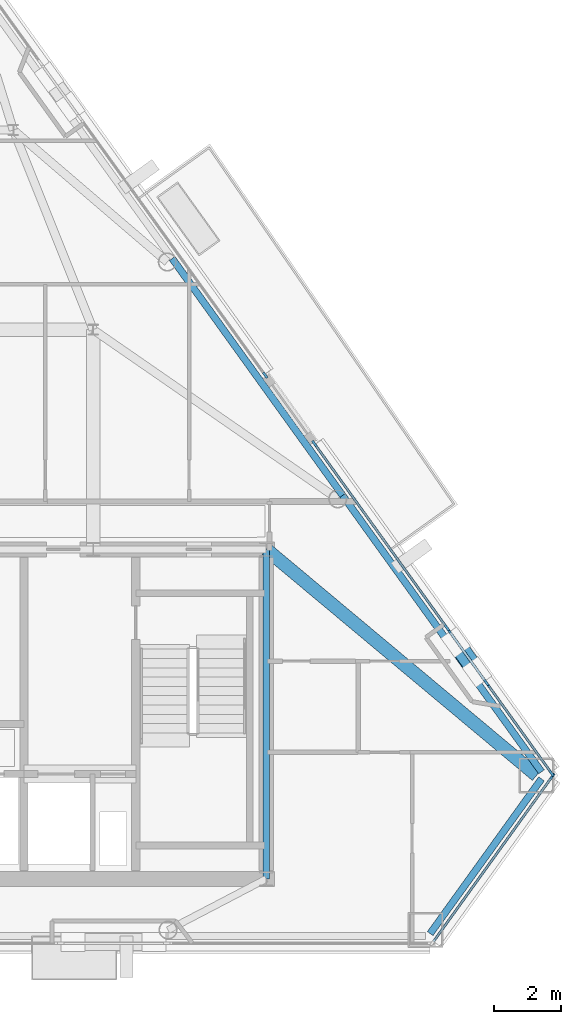
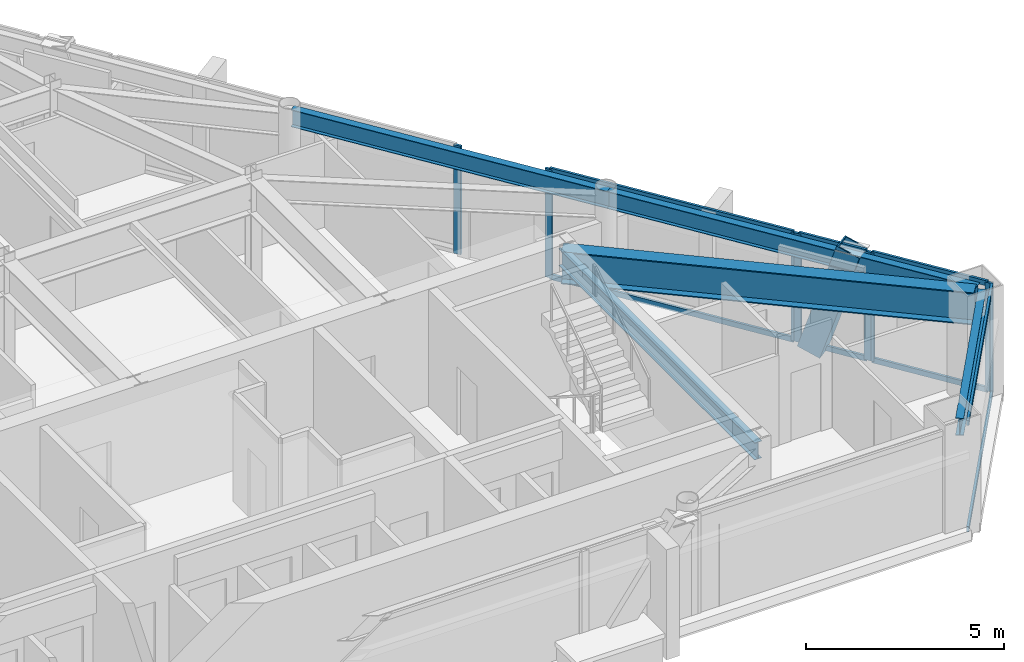
# One storey, part 5 of 11: 17 members, 5 beams, 5 elements without a shape of their own.
"""IFC4 building model written with IfcOpenShell, lengths in metres."""

from ifc_helpers import new_model, si_unit, direction, frame, origin, origin_2d, place, context, subcontext, project, spatial, rectangle, hollow_rectangle, i_section, extrude, material, layer, layer_set, material_profile, profile_set, type_object, element, aggregate, save


model = new_model("IFC4")

# Units and contexts
model_context = context("Model", 3, precision=1e-05, world=origin(), true_north=direction((0.0, 1.0)))
body_context = subcontext(model_context, "Body", "Model", "MODEL_VIEW")
ifc_project = project(units=[si_unit("LENGTHUNIT", "METRE"), si_unit("AREAUNIT", "SQUARE_METRE"), si_unit("VOLUMEUNIT", "CUBIC_METRE"), si_unit("PLANEANGLEUNIT", "RADIAN"), si_unit("MASSUNIT", "GRAM", prefix="KILO")], contexts=[model_context])

# Site, building, storey
site_placement = place(None, origin())
site = spatial("IfcSite", under=ifc_project, at=site_placement, CompositionType="ELEMENT")
building_placement = place(site_placement, origin())
building = spatial("IfcBuilding", under=site, at=building_placement, Name="Talgorran Terracotta Tower", CompositionType="ELEMENT")
storey_placement = place(building_placement, frame((0.0, 0.0, 196.5)))
storey = spatial("IfcBuildingStorey", under=building, at=storey_placement, Name="L51", CompositionType="ELEMENT", Elevation=196.5)

# Beams
ifc_material_1 = material(Name="Steel Grade 350 (350L0)", Category="steel")
ifc_material_profile_1 = material_profile(ifc_material_1, i_section(OverallWidth=0.39990234375, OverallDepth=1.0, WebThickness=0.01611328125, FlangeThickness=0.031005859375, at=origin_2d()), Name="1000WB296")
ifc_profile_set_1 = profile_set([ifc_material_profile_1], Name="Steel Grade 350 (350L0)")
beam_type_1 = type_object("IfcBeamType", Name="BM_1000WB296", PredefinedType="BEAM", material=ifc_profile_set_1)
beam_1_placement = place(storey_placement, frame((12.39990234375, -4.199951171875, 2.85009765625), z_axis=(0.767197947413, -0.641410406436, 0.0), x_axis=(0.641410406436, 0.767197947413, 0.0)))
element("IfcBeam", 1, at=beam_1_placement, inside=storey, type_object=beam_type_1, Name="L51 Floor Girder G18", PredefinedType="BEAM", context=body_context, shape_type="SweptSolid", body=[
    extrude(i_section(OverallWidth=0.39990234375, OverallDepth=1.0, WebThickness=0.01611328125, FlangeThickness=0.031005859375, at=origin_2d()), origin(), (0.0, 0.0, 1.0), 10.589599609375),
])
ifc_material_2 = material(Name="Steel S355 (300PLUS)", Category="steel")
ifc_material_profile_2 = material_profile(ifc_material_2, i_section(OverallWidth=0.209228515625, OverallDepth=0.532958984375, WebThickness=0.01025390625, FlangeThickness=0.015625, at=origin_2d()), Name="530UB92.4")
ifc_profile_set_2 = profile_set([ifc_material_profile_2], Name="Steel S355 (300PLUS)")
beam_type_2 = type_object("IfcBeamType", Name="BM_SP_530UB92", PredefinedType="SPANDREL", material=ifc_profile_set_2)
beam_2_placement = place(storey_placement, frame((17.32568359375, -15.74609375, 3.08349609375), z_axis=(0.583989111458, 0.811761490648, 0.0), x_axis=(-0.811761490648, 0.583989111458, 0.0)))
element("IfcBeam", 2, at=beam_2_placement, inside=storey, type_object=beam_type_2, Name="L51 Perimeter Spandrel Beam MC3-MC4", PredefinedType="SPANDREL", context=body_context, shape_type="SweptSolid", body=[
    extrude(i_section(OverallWidth=0.209228515625, OverallDepth=0.532958984375, WebThickness=0.01025390625, FlangeThickness=0.015625, at=origin_2d()), origin(), (0.0, 0.0, 1.0), 5.72705078125),
])
beam_3_placement = place(storey_placement, frame((20.670166015625, -10.886962890625, 3.08349609375), z_axis=(-0.583984097587, 0.811765097651, 0.0), x_axis=(-0.811765097651, -0.583984097587, 0.0)))
element("IfcBeam", 3, at=beam_3_placement, inside=storey, type_object=beam_type_2, Name="L51 Perimeter Spandrel Beam MC4-FC3", PredefinedType="SPANDREL", context=body_context, shape_type="SweptSolid", body=[
    extrude(i_section(OverallWidth=0.209228515625, OverallDepth=0.532958984375, WebThickness=0.01025390625, FlangeThickness=0.015625, at=origin_2d()), origin(), (0.0, 0.0, 1.0), 10.231689453125),
])
beam_4_placement = place(storey_placement, frame((14.695068359375, -2.581298828125, 3.08349609375), z_axis=(-0.583976142064, 0.811770820799, 0.0), x_axis=(-0.811770820799, -0.583976142064, 0.0)))
element("IfcBeam", 4, at=beam_4_placement, inside=storey, type_object=beam_type_2, Name="L51 Perimeter Spandrel Beam FC3-FC4", PredefinedType="SPANDREL", context=body_context, shape_type="SweptSolid", body=[
    extrude(i_section(OverallWidth=0.209228515625, OverallDepth=0.532958984375, WebThickness=0.01025390625, FlangeThickness=0.015625, at=origin_2d()), origin(), (0.0, 0.0, 1.0), 8.770263671875),
])
beam_5_placement = place(storey_placement, frame((12.39990234375, -14.10009765625, 3.08349609375), z_axis=(0.0, 1.0, 0.0), x_axis=(-1.0, 0.0, 0.0)))
element("IfcBeam", 5, at=beam_5_placement, inside=storey, type_object=beam_type_2, Name="L51 Core Frame Beam CFE", PredefinedType="SPANDREL", context=body_context, shape_type="SweptSolid", body=[
    extrude(i_section(OverallWidth=0.209228515625, OverallDepth=0.532958984375, WebThickness=0.01025390625, FlangeThickness=0.015625, at=origin_2d()), origin(), (0.0, 0.0, 1.0), 9.900146484375),
])

# Member
ifc_material_profile_3 = material_profile(ifc_material_1, hollow_rectangle(XDim=0.52001953125, YDim=0.659912109375, WallThickness=0.034912109375, at=origin_2d()), Name="WBOX660X520X35")
ifc_profile_set_3 = profile_set([ifc_material_profile_3], Name="Steel Grade 350 (350L0)")
member_type_1 = type_object("IfcMemberType", Name="MB_MEGA_660", PredefinedType="BRACE", material=ifc_profile_set_3)
member_1_placement = place(storey_placement, frame((18.0908203125, -6.992919921875, -0.02490234375), z_axis=(0.179439890978, -0.249548546021, 0.951591744765), x_axis=(0.811896824414, 0.583800947675, 0.0)))
element("IfcMember", 6, at=member_1_placement, inside=storey, type_object=member_type_1, Name="L51 Exterior Face Mega-Brace MB-3 (NEL)", PredefinedType="BRACE", context=body_context, shape_type="SweptSolid", body=[
    extrude(hollow_rectangle(XDim=0.52001953125, YDim=0.659912109375, WallThickness=0.034912109375, at=origin_2d()), origin(), (0.0, 0.0, 1.0), 3.57275390625),
])

# Curtain wall, member
ifc_material_3 = material(Name="High-Wind Unitised Glazing", Category="glass")
ifc_layer = layer(ifc_material_3, 0.2099609375, Name="CW_SYS3_RES_HIGH")
ifc_layer_set = layer_set([ifc_layer], Name="High-Wind Unitised Glazing")
curtain_wall_type = type_object("IfcCurtainWallType", Name="CW_SYS3_RES_HIGH", PredefinedType="NOTDEFINED", material=ifc_layer_set)
curtain_wall_1_placement = place(storey_placement, origin())
curtain_wall_1 = element("IfcCurtainWall", 7, at=curtain_wall_1_placement, inside=storey, type_object=curtain_wall_type, Name="CW-L51-F2", PredefinedType="NOTDEFINED")
ifc_material_4 = material(Name="Architectural Aluminium 6063-T6", Category="aluminium")
ifc_material_profile_4 = material_profile(ifc_material_4, rectangle(XDim=0.070068359375, YDim=0.199951171875, at=origin_2d()), Name="CWM70X200")
ifc_profile_set_4 = profile_set([ifc_material_profile_4], Name="Architectural Aluminium 6063-T6")
member_type_2 = type_object("IfcMemberType", Name="MUL_70X200", PredefinedType="MULLION", material=ifc_profile_set_4)
member_2_placement = place(storey_placement, frame((20.99658203125, -11.0205078125, 0.0), z_axis=(0.0, 0.0, 1.0), x_axis=(-0.811769090011, 0.583978547982, 0.0)))
member_2 = element("IfcMember", 8, at=member_2_placement, type_object=member_type_2, Name="CW-L51-2 mullion 2", PredefinedType="MULLION", context=body_context, shape_type="SweptSolid", body=[
    extrude(rectangle(XDim=0.070068359375, YDim=0.199951171875, at=origin_2d()), origin(), (0.0, 0.0, 1.0), 3.35009765625),
])

# Curtain wall, members
curtain_wall_2_placement = place(storey_placement, origin())
curtain_wall_2 = element("IfcCurtainWall", 9, at=curtain_wall_2_placement, inside=storey, type_object=curtain_wall_type, Name="CW-L51-F40", PredefinedType="NOTDEFINED")
member_3_placement = place(storey_placement, frame((20.97314453125, -10.93115234375, 0.0), z_axis=(0.0, 0.0, 1.0), x_axis=(-0.811763154791, -0.583986798244, 0.0)))
member_3 = element("IfcMember", 10, at=member_3_placement, type_object=member_type_2, Name="CW-L51-40 mullion 1", PredefinedType="MULLION", context=body_context, shape_type="SweptSolid", body=[
    extrude(rectangle(XDim=0.070068359375, YDim=0.199951171875, at=origin_2d()), origin(), (0.0, 0.0, 1.0), 3.35009765625),
])
member_4_placement = place(storey_placement, frame((19.058837890625, -8.270263671875, 0.0), z_axis=(0.0, 0.0, 1.0), x_axis=(-0.811763154791, -0.583986798244, 0.0)))
member_4 = element("IfcMember", 11, at=member_4_placement, type_object=member_type_2, Name="CW-L51-40 mullion 2", PredefinedType="MULLION", context=body_context, shape_type="SweptSolid", body=[
    extrude(rectangle(XDim=0.070068359375, YDim=0.199951171875, at=origin_2d()), origin(), (0.0, 0.0, 1.0), 3.35009765625),
])

curtain_wall_3_placement = place(storey_placement, origin())
curtain_wall_3 = element("IfcCurtainWall", 12, at=curtain_wall_3_placement, inside=storey, type_object=curtain_wall_type, Name="CW-L51-F40B", PredefinedType="NOTDEFINED")
member_5_placement = place(storey_placement, frame((19.011962890625, -8.205322265625, 0.0), z_axis=(0.0, 0.0, 1.0), x_axis=(-0.8117751038, -0.583970188323, 0.0)))
member_5 = element("IfcMember", 13, at=member_5_placement, type_object=member_type_2, Name="CW-L51-40B mullion 1", PredefinedType="MULLION", context=body_context, shape_type="SweptSolid", body=[
    extrude(rectangle(XDim=0.070068359375, YDim=0.199951171875, at=origin_2d()), origin(), (0.0, 0.0, 1.0), 3.35009765625),
])
member_6_placement = place(storey_placement, frame((17.87548828125, -6.62548828125, 0.0), z_axis=(0.0, 0.0, 1.0), x_axis=(-0.8117751038, -0.583970188323, 0.0)))
member_6 = element("IfcMember", 14, at=member_6_placement, type_object=member_type_2, Name="CW-L51-40B mullion 2", PredefinedType="MULLION", context=body_context, shape_type="SweptSolid", body=[
    extrude(rectangle(XDim=0.070068359375, YDim=0.199951171875, at=origin_2d()), origin(), (0.0, 0.0, 1.0), 3.35009765625),
])

curtain_wall_4_placement = place(storey_placement, origin())
curtain_wall_4 = element("IfcCurtainWall", 15, at=curtain_wall_4_placement, inside=storey, type_object=curtain_wall_type, Name="CW-L51-F40C", PredefinedType="NOTDEFINED")
member_7_placement = place(storey_placement, frame((17.828857421875, -6.560546875, 0.0), z_axis=(0.0, 0.0, 1.0), x_axis=(-0.811763838238, -0.583985848226, 0.0)))
member_7 = element("IfcMember", 16, at=member_7_placement, type_object=member_type_2, Name="CW-L51-40C mullion 1", PredefinedType="MULLION", context=body_context, shape_type="SweptSolid", body=[
    extrude(rectangle(XDim=0.070068359375, YDim=0.199951171875, at=origin_2d()), origin(), (0.0, 0.0, 1.0), 3.35009765625),
])
member_8_placement = place(storey_placement, frame((13.845458984375, -1.0234375, 0.0), z_axis=(0.0, 0.0, 1.0), x_axis=(-0.811763838238, -0.583985848226, 0.0)))
member_8 = element("IfcMember", 17, at=member_8_placement, type_object=member_type_2, Name="CW-L51-40C mullion 2", PredefinedType="MULLION", context=body_context, shape_type="SweptSolid", body=[
    extrude(rectangle(XDim=0.070068359375, YDim=0.199951171875, at=origin_2d()), origin(), (0.0, 0.0, 1.0), 3.35009765625),
])

# Curtain wall, member
curtain_wall_5_placement = place(storey_placement, origin())
curtain_wall_5 = element("IfcCurtainWall", 18, at=curtain_wall_5_placement, inside=storey, type_object=curtain_wall_type, Name="CW-L51-F41", PredefinedType="NOTDEFINED")
member_9_placement = place(storey_placement, frame((12.367919921875, 1.0302734375, 0.0), z_axis=(0.0, 0.0, 1.0), x_axis=(-0.811762437351, -0.583987795511, 0.0)))
member_9 = element("IfcMember", 19, at=member_9_placement, type_object=member_type_2, Name="CW-L51-41 mullion 1", PredefinedType="MULLION", context=body_context, shape_type="SweptSolid", body=[
    extrude(rectangle(XDim=0.070068359375, YDim=0.199951171875, at=origin_2d()), origin(), (0.0, 0.0, 1.0), 3.35009765625),
])
aggregate(curtain_wall_5, [member_9])

# Member
ifc_material_profile_5 = material_profile(ifc_material_4, rectangle(XDim=0.070068359375, YDim=0.159912109375, at=origin_2d()), Name="CWT70X160")
ifc_profile_set_5 = profile_set([ifc_material_profile_5], Name="Architectural Aluminium 6063-T6")
member_type_3 = type_object("IfcMemberType", Name="TRN_70X160", PredefinedType="USERDEFINED", material=ifc_profile_set_5)
member_10_placement = place(storey_placement, frame((17.425537109375, -15.984375, 0.034912109375), z_axis=(0.583973578627, 0.811772664892, 0.0), x_axis=(-0.811772664892, 0.583973578627, 0.0)))
member_10 = element("IfcMember", 20, at=member_10_placement, type_object=member_type_3, Name="CW-L51-2 transom 1.1", ObjectType="TRANSOM", PredefinedType="USERDEFINED", context=body_context, shape_type="SweptSolid", body=[
    extrude(rectangle(XDim=0.070068359375, YDim=0.159912109375, at=origin_2d()), origin(), (0.0, 0.0, 1.0), 6.080078125),
])

member_11_placement = place(storey_placement, frame((17.425537109375, -15.984375, 3.31494140625), z_axis=(0.583973578627, 0.811772664892, 0.0), x_axis=(-0.811772664892, 0.583973578627, 0.0)))
member_11 = element("IfcMember", 21, at=member_11_placement, type_object=member_type_3, Name="CW-L51-2 transom 1.2", ObjectType="TRANSOM", PredefinedType="USERDEFINED", context=body_context, shape_type="SweptSolid", body=[
    extrude(rectangle(XDim=0.070068359375, YDim=0.159912109375, at=origin_2d()), origin(), (0.0, 0.0, 1.0), 6.080078125),
])

aggregate(curtain_wall_1, [member_2, member_10, member_11])

member_12_placement = place(storey_placement, frame((20.95263671875, -10.90283203125, 0.034912109375), z_axis=(-0.583991942441, 0.811759454003, 0.0), x_axis=(-0.811759454003, -0.583991942441, 0.0)))
member_12 = element("IfcMember", 22, at=member_12_placement, type_object=member_type_3, Name="CW-L51-40 transom 1.1", ObjectType="TRANSOM", PredefinedType="USERDEFINED", context=body_context, shape_type="SweptSolid", body=[
    extrude(rectangle(XDim=0.070068359375, YDim=0.159912109375, at=origin_2d()), origin(), (0.0, 0.0, 1.0), 3.208251953125),
])

member_13_placement = place(storey_placement, frame((20.95263671875, -10.90283203125, 3.31494140625), z_axis=(-0.583991942441, 0.811759454003, 0.0), x_axis=(-0.811759454003, -0.583991942441, 0.0)))
member_13 = element("IfcMember", 23, at=member_13_placement, type_object=member_type_3, Name="CW-L51-40 transom 1.2", ObjectType="TRANSOM", PredefinedType="USERDEFINED", context=body_context, shape_type="SweptSolid", body=[
    extrude(rectangle(XDim=0.070068359375, YDim=0.159912109375, at=origin_2d()), origin(), (0.0, 0.0, 1.0), 3.208251953125),
])

aggregate(curtain_wall_2, [member_3, member_4, member_12, member_13])

member_14_placement = place(storey_placement, frame((18.99169921875, -8.1767578125, 0.034912109375), z_axis=(-0.584016733465, 0.811741618394, 0.0), x_axis=(-0.811741618394, -0.584016733465, 0.0)))
member_14 = element("IfcMember", 24, at=member_14_placement, type_object=member_type_3, Name="CW-L51-40B transom 1.1", ObjectType="TRANSOM", PredefinedType="USERDEFINED", context=body_context, shape_type="SweptSolid", body=[
    extrude(rectangle(XDim=0.070068359375, YDim=0.159912109375, at=origin_2d()), origin(), (0.0, 0.0, 1.0), 1.876220703125),
])

member_15_placement = place(storey_placement, frame((18.99169921875, -8.1767578125, 3.31494140625), z_axis=(-0.584016733465, 0.811741618394, 0.0), x_axis=(-0.811741618394, -0.584016733465, 0.0)))
member_15 = element("IfcMember", 25, at=member_15_placement, type_object=member_type_3, Name="CW-L51-40B transom 1.2", ObjectType="TRANSOM", PredefinedType="USERDEFINED", context=body_context, shape_type="SweptSolid", body=[
    extrude(rectangle(XDim=0.070068359375, YDim=0.159912109375, at=origin_2d()), origin(), (0.0, 0.0, 1.0), 1.876220703125),
])

aggregate(curtain_wall_3, [member_5, member_6, member_14, member_15])

member_16_placement = place(storey_placement, frame((17.808349609375, -6.531982421875, 0.034912109375), z_axis=(-0.583992192659, 0.811759273993, 0.0), x_axis=(-0.811759273993, -0.583992192659, 0.0)))
member_16 = element("IfcMember", 26, at=member_16_placement, type_object=member_type_3, Name="CW-L51-40C transom 1.1", ObjectType="TRANSOM", PredefinedType="USERDEFINED", context=body_context, shape_type="SweptSolid", body=[
    extrude(rectangle(XDim=0.070068359375, YDim=0.159912109375, at=origin_2d()), origin(), (0.0, 0.0, 1.0), 6.750732421875),
])

member_17_placement = place(storey_placement, frame((17.808349609375, -6.531982421875, 3.31494140625), z_axis=(-0.583992192659, 0.811759273993, 0.0), x_axis=(-0.811759273993, -0.583992192659, 0.0)))
member_17 = element("IfcMember", 27, at=member_17_placement, type_object=member_type_3, Name="CW-L51-40C transom 1.2", ObjectType="TRANSOM", PredefinedType="USERDEFINED", context=body_context, shape_type="SweptSolid", body=[
    extrude(rectangle(XDim=0.070068359375, YDim=0.159912109375, at=origin_2d()), origin(), (0.0, 0.0, 1.0), 6.750732421875),
])

aggregate(curtain_wall_4, [member_7, member_8, member_16, member_17])

save(model, "model.ifc")
